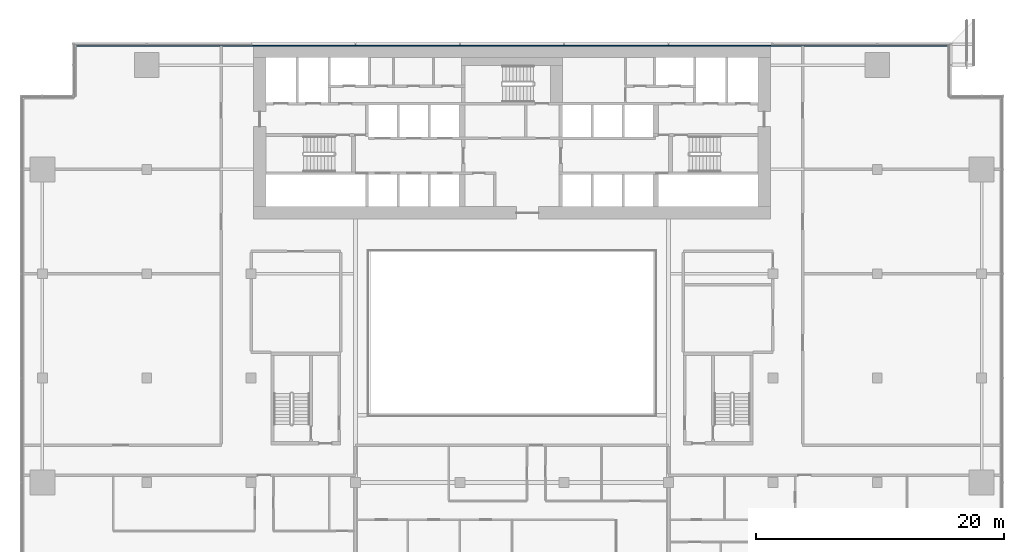
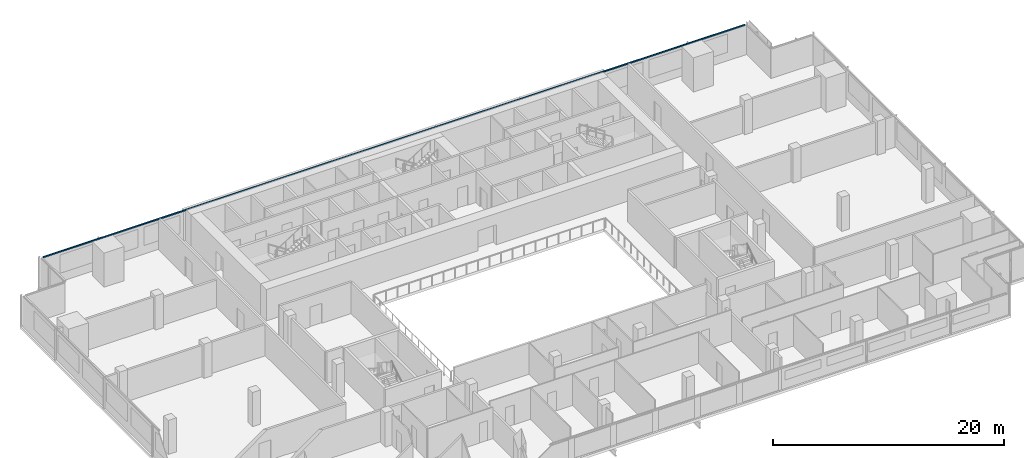
# One storey, part 10 of 26: 1 member, 1 element without a shape of its own.
"""IFC4 building model written with IfcOpenShell, lengths in metres."""

import ifcopenshell
import ifcopenshell.guid

model = None  # the IFC model being written
_history = None  # IfcOwnerHistory: only IFC2X3 demands one
_inside = {}  # id of a spatial element -> (the spatial element, [elements in it])
_under = {}  # id of a project, library or spatial element -> (it, [spatial elements below it])
_declared = {}  # id of a project -> (the project, [libraries it declares])
_typed = {}  # id of a type object -> (the type object, [elements of that type])
_made_of = {}  # id of a material, layer set ... -> (it, [elements and type objects made of it])


def new_model(schema):
    """Start an empty IFC model of exactly this schema.

    Asked for "IFC4X3", IfcOpenShell would pick the latest addendum, in which some entities
    have other attributes; the version numbers below select the first issue.
    IFC2X3 requires an IfcOwnerHistory on every rooted entity: one is made here for all.
    """
    global model, _history
    if schema == "IFC4X3":
        model = ifcopenshell.file(schema_version=(4, 3, 0, 0))
    else:
        model = ifcopenshell.file(schema=schema)
    _inside.clear()
    _under.clear()
    _declared.clear()
    _typed.clear()
    _made_of.clear()
    _history = None
    if model.schema == "IFC2X3":
        org = make("IfcOrganization", Name="unknown")
        user = make(
            "IfcPersonAndOrganization",
            ThePerson=make("IfcPerson", FamilyName="unknown"),
            TheOrganization=org,
        )
        app = make(
            "IfcApplication",
            ApplicationDeveloper=org,
            Version="unknown",
            ApplicationFullName="unknown",
            ApplicationIdentifier="unknown",
        )
        _history = make(
            "IfcOwnerHistory",
            OwningUser=user,
            OwningApplication=app,
            ChangeAction="ADDED",
            CreationDate=0,
        )
    return model


def make(cls, **values):
    """One entity of the class cls with the attributes given. An attribute that is None is left unset."""
    return model.create_entity(
        cls, **{name: value for name, value in values.items() if value is not None}
    )


def rooted(cls, **values):
    """An entity with a GlobalId (a new one), such as an element, a storey or a relation."""
    return make(cls, GlobalId=ifcopenshell.guid.new(), OwnerHistory=_history, **values)


def si_unit(unit_type, name, prefix=None):
    """IfcSIUnit, for example si_unit("LENGTHUNIT", "METRE", prefix="MILLI")."""
    return make("IfcSIUnit", UnitType=unit_type, Prefix=prefix, Name=name)


def assignment(units):
    """IfcUnitAssignment: the units of a project."""
    return None if units is None else make("IfcUnitAssignment", Units=units)


def point(xyz):
    """IfcCartesianPoint."""
    return None if xyz is None else make("IfcCartesianPoint", Coordinates=xyz)


def direction(xyz):
    """IfcDirection."""
    return None if xyz is None else make("IfcDirection", DirectionRatios=xyz)


def frame(location, z_axis=None, x_axis=None):
    """IfcAxis2Placement3D, a coordinate frame: its origin and axes. An axis left out is left unset."""
    return make(
        "IfcAxis2Placement3D",
        Location=point(location),
        Axis=direction(z_axis),
        RefDirection=direction(x_axis),
    )


def frame_2d(location, x_axis=None):
    """IfcAxis2Placement2D, a coordinate frame in the plane: its origin and x axis."""
    return make(
        "IfcAxis2Placement2D", Location=point(location), RefDirection=direction(x_axis)
    )


def origin():
    """The frame at (0, 0, 0) with its axes left unset."""
    return frame((0.0, 0.0, 0.0))


def origin_2d():
    """The frame at (0, 0) in the plane with its x axis left unset."""
    return frame_2d((0.0, 0.0))


def place(relative_to, where):
    """IfcLocalPlacement: puts the frame where relative to a parent placement (None: the world)."""
    return make(
        "IfcLocalPlacement", PlacementRelTo=relative_to, RelativePlacement=where
    )


def context(
    kind, dimensions, precision=None, world=None, true_north=None, identifier=None
):
    """IfcGeometricRepresentationContext, for example the 3D "Model" context."""
    return make(
        "IfcGeometricRepresentationContext",
        ContextIdentifier=identifier,
        ContextType=kind,
        CoordinateSpaceDimension=dimensions,
        Precision=precision,
        WorldCoordinateSystem=world,
        TrueNorth=true_north,
    )


def subcontext(parent, identifier, kind, view, scale=None):
    """IfcGeometricRepresentationSubContext, for example "Body" below "Model"."""
    return make(
        "IfcGeometricRepresentationSubContext",
        ContextIdentifier=identifier,
        ContextType=kind,
        ParentContext=parent,
        TargetScale=scale,
        TargetView=view,
    )


def project(units=None, contexts=None):
    """IfcProject with its units and contexts."""
    return rooted(
        "IfcProject",
        Name="project",
        RepresentationContexts=contexts,
        UnitsInContext=assignment(units),
    )


def spatial(cls, under=None, at=None, **own):
    """A site, building, storey or space (cls), placed at a placement, below another one or the project."""
    s = rooted(cls, ObjectPlacement=at, **own)
    if under is not None:
        _under.setdefault(under.id(), (under, []))[1].append(s)
    return s


def profile(cls, at=None, kind="AREA", **sizes):
    """A parametric profile (cls). Its sizes go by their IFC names, for example OverallWidth=200.0."""
    return make(cls, ProfileType=kind, Position=at, **sizes)


def rectangle(**sizes):
    """IfcRectangleProfileDef."""
    return profile("IfcRectangleProfileDef", **sizes)


def extrude(swept, where, along, depth):
    """IfcExtrudedAreaSolid: the profile swept, set in the frame where, extruded along a direction by depth."""
    return make(
        "IfcExtrudedAreaSolid",
        SweptArea=swept,
        Position=where,
        ExtrudedDirection=direction(along),
        Depth=depth,
    )


def shape(context_of_items, identifier, shape_type, items):
    """IfcShapeRepresentation: the items that make up one representation, for example the "Body"."""
    return make(
        "IfcShapeRepresentation",
        ContextOfItems=context_of_items,
        RepresentationIdentifier=identifier,
        RepresentationType=shape_type,
        Items=items,
    )


def material(Name=None, Category=None):
    """IfcMaterial."""
    return make("IfcMaterial", Name=Name, Category=Category)


def material_profile(
    of_material, cross_section, Name=None, Category=None, Priority=None
):
    """IfcMaterialProfile: a cross section and its material."""
    return make(
        "IfcMaterialProfile",
        Name=Name,
        Material=of_material,
        Profile=cross_section,
        Priority=Priority,
        Category=Category,
    )


def profile_set(profiles, Name=None, composite=None):
    """IfcMaterialProfileSet."""
    return make(
        "IfcMaterialProfileSet",
        Name=Name,
        MaterialProfiles=profiles,
        CompositeProfile=composite,
    )


def made_of(thing, what):
    """Note that an element or type object is made of a material, layer set ...; save() writes the relation."""
    if what is not None:
        _made_of.setdefault(what.id(), (what, []))[1].append(thing)
    return thing


def type_object(cls, material=None, **own):
    """A type object (cls), such as IfcWallType, which elements share."""
    return made_of(rooted(cls, **own), material)


def element(
    cls,
    number,
    at=None,
    inside=None,
    cuts=None,
    type_object=None,
    material=None,
    context=None,
    identifier="Body",
    shape_type=None,
    held_by="IfcProductDefinitionShape",
    body=None,
    shapes=None,
    **own,
):
    """One element of the class cls, such as IfcWall. Its Tag is "e" and its number.

    at: its placement. inside: the storey or other place that contains it. cuts: it is an
    opening in that element (IfcRelVoidsElement). A single representation is given by context,
    identifier, shape_type and body (its items); several are given by shapes. held_by: the class
    of the entity that holds the representations. save() writes the other relations.
    """
    e = rooted(cls, Tag="e%d" % number, ObjectPlacement=at, **own)
    if body is not None:
        shapes = [shape(context, identifier, shape_type, body)]
    if shapes is not None:
        e.Representation = make(held_by, Representations=shapes)
    if inside is not None:
        _inside.setdefault(inside.id(), (inside, []))[1].append(e)
    if cuts is not None:
        rooted(
            "IfcRelVoidsElement", RelatingBuildingElement=cuts, RelatedOpeningElement=e
        )
    if type_object is not None:
        _typed.setdefault(type_object.id(), (type_object, []))[1].append(e)
    return made_of(e, material)


def aggregate(whole, parts):
    """IfcRelAggregates: a whole, such as a stair, and the parts it consists of."""
    return rooted("IfcRelAggregates", RelatingObject=whole, RelatedObjects=parts)


def save(model, path):
    """Write the relations noted so far, then the file.

    IfcRelAggregates (storeys below a building ...), IfcRelContainedInSpatialStructure (elements
    in a storey), IfcRelDefinesByType, IfcRelAssociatesMaterial and IfcRelDeclares: one each for
    every whole, place, type object, material and project.
    """
    for whole, parts in _under.values():
        aggregate(whole, parts)
    for where, things in _inside.values():
        rooted(
            "IfcRelContainedInSpatialStructure",
            RelatedElements=things,
            RelatingStructure=where,
        )
    for kind, things in _typed.values():
        rooted("IfcRelDefinesByType", RelatedObjects=things, RelatingType=kind)
    for what, things in _made_of.values():
        rooted("IfcRelAssociatesMaterial", RelatedObjects=things, RelatingMaterial=what)
    for by, libraries in _declared.values():
        rooted("IfcRelDeclares", RelatingContext=by, RelatedDefinitions=libraries)
    model.write(path)


model = new_model("IFC4")

# Units and contexts
model_context = context("Model", 3, precision=1e-05, world=origin(), true_north=direction((0.0, 1.0)))
body_context = subcontext(model_context, "Body", "Model", "MODEL_VIEW")
ifc_project = project(units=[si_unit("LENGTHUNIT", "METRE"), si_unit("AREAUNIT", "SQUARE_METRE"), si_unit("VOLUMEUNIT", "CUBIC_METRE"), si_unit("PLANEANGLEUNIT", "RADIAN"), si_unit("MASSUNIT", "GRAM", prefix="KILO")], contexts=[model_context])

# Site, building, storey
site_placement = place(None, origin())
site = spatial("IfcSite", under=ifc_project, at=site_placement, CompositionType="ELEMENT")
building_placement = place(site_placement, origin())
building = spatial("IfcBuilding", under=site, at=building_placement, Name="Saffron Gate Tower", CompositionType="ELEMENT")
storey_placement = place(building_placement, frame((0.0, 0.0, 138.449951171875)))
storey = spatial("IfcBuildingStorey", under=building, at=storey_placement, Name="L33", CompositionType="ELEMENT", Elevation=138.449951171875)

# Curtain wall, member
ifc_material = material(Name="Aluminium, bronze anodised", Category="aluminium")
curtain_wall_type = type_object("IfcCurtainWallType", Name="CWS3 curtain wall rear facade", PredefinedType="NOTDEFINED", material=ifc_material)
curtain_wall_placement = place(storey_placement, origin())
curtain_wall = element("IfcCurtainWall", 1, at=curtain_wall_placement, inside=storey, type_object=curtain_wall_type, Name="CWS3 run 7", PredefinedType="NOTDEFINED")
ifc_material_profile = material_profile(ifc_material, rectangle(XDim=0.1201171875, YDim=0.1201171875, at=origin_2d()))
ifc_profile_set = profile_set([ifc_material_profile], Name="Aluminium, bronze anodised")
member_type = type_object("IfcMemberType", Name="CWS3 head transom", PredefinedType="USERDEFINED", material=ifc_profile_set)
member_placement = place(storey_placement, frame((122.632080078125, 75.35205078125, 3.239990234375), z_axis=(-1.0, 0.0, 0.0), x_axis=(0.0, -1.0, 0.0)))
member = element("IfcMember", 2, at=member_placement, type_object=member_type, Name="CWS3 head transom", ObjectType="TRANSOM", PredefinedType="USERDEFINED", context=body_context, shape_type="SweptSolid", body=[
    extrude(rectangle(XDim=0.1201171875, YDim=0.1201171875, at=origin_2d()), origin(), (0.0, 0.0, 1.0), 70.06396484375),
])
aggregate(curtain_wall, [member])

save(model, "model.ifc")
